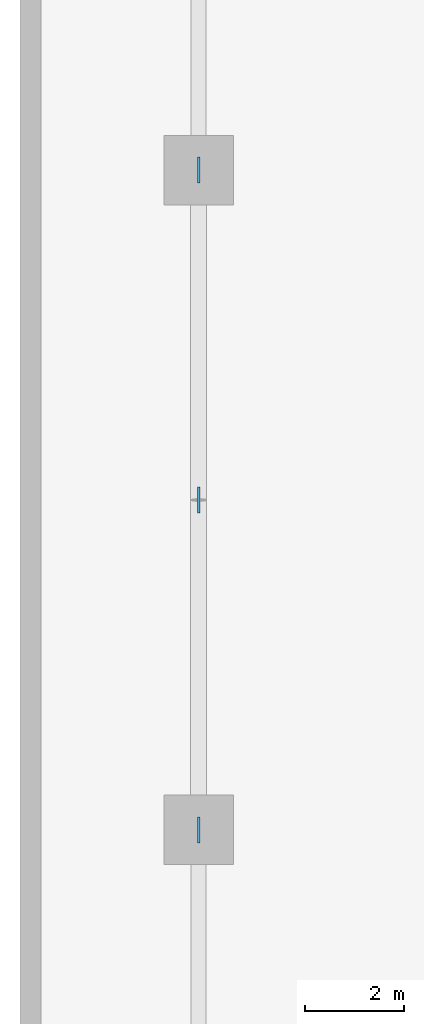
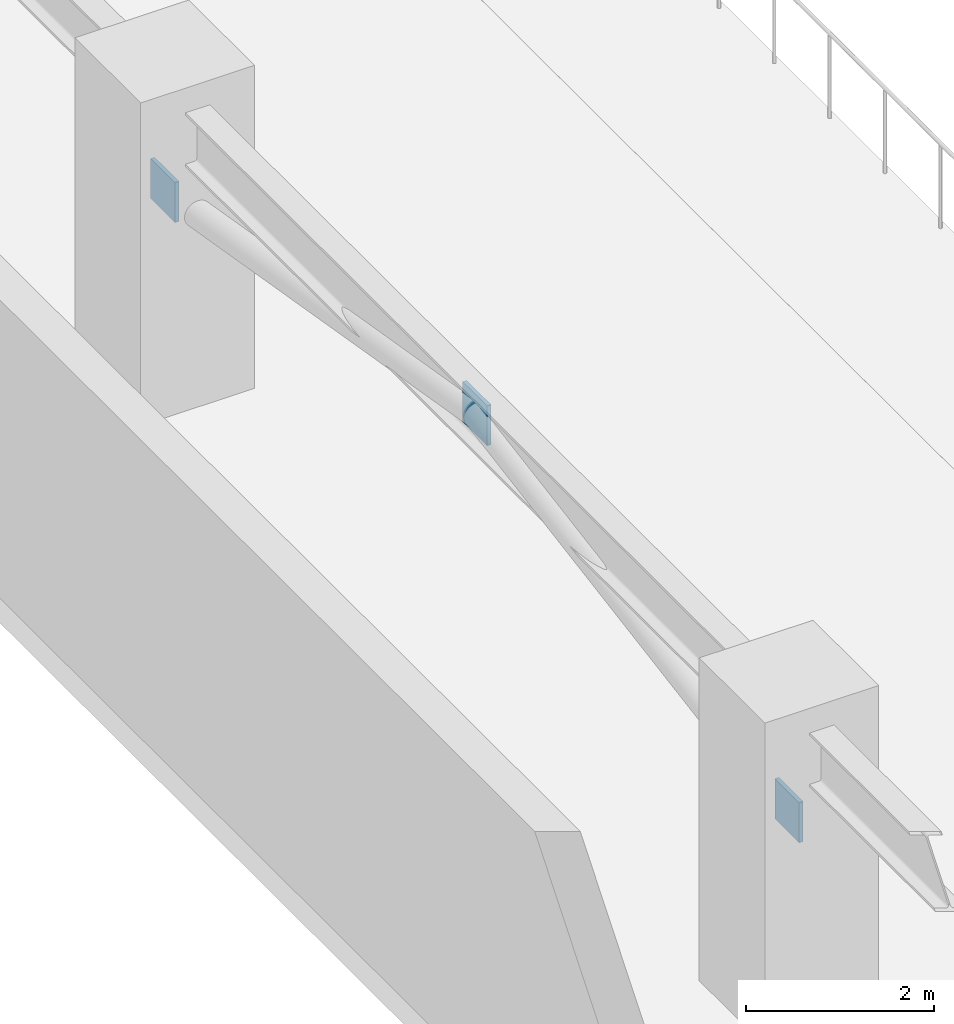
# One storey, part 13 of 22: 3 discrete accessories.
"""IFC4 building model written with IfcOpenShell, lengths in metres."""

from ifc_helpers import new_model, si_unit, direction, frame, origin, origin_2d, place, context, subcontext, project, spatial, rectangle, extrude, material, type_object, element, save


model = new_model("IFC4")

# Units and contexts
model_context = context("Model", 3, precision=1e-05, world=origin(), true_north=direction((0.0, 1.0)))
body_context = subcontext(model_context, "Body", "Model", "MODEL_VIEW")
ifc_project = project(units=[si_unit("LENGTHUNIT", "METRE"), si_unit("AREAUNIT", "SQUARE_METRE"), si_unit("VOLUMEUNIT", "CUBIC_METRE"), si_unit("PLANEANGLEUNIT", "RADIAN"), si_unit("MASSUNIT", "GRAM", prefix="KILO")], contexts=[model_context])

# Site, building, storey
site_placement = place(None, origin())
site = spatial("IfcSite", under=ifc_project, at=site_placement, CompositionType="ELEMENT")
building_placement = place(site_placement, origin())
building = spatial("IfcBuilding", under=site, at=building_placement, Name="Narakoshi Arena Tower", CompositionType="ELEMENT")
storey_placement = place(building_placement, frame((0.0, 0.0, 13.199951171875)))
storey = spatial("IfcBuildingStorey", under=building, at=storey_placement, Name="L03", CompositionType="ELEMENT", Elevation=13.199951171875)

# Discrete accessories
ifc_material = material(Name="Structural steel S460ML", Category="steel")
discrete_accessory_type = type_object("IfcDiscreteAccessoryType", Name="ACC-GUS-PLT", PredefinedType="BRACKET", material=ifc_material)
for number, where, z_axis, x_axis, name in (
    (1, (3.60009765625, 34.699951171875, 2.14013671875), (0.0, 0.0, 1.0), (0.0, 1.0, 0.0), "L03 Brace Node Gusset Plate 0031"),
    (2, (3.60009765625, 41.35009765625, 3.27001953125), (0.0, 0.0, 1.0), (0.0, 1.0, 0.0), "L03 Brace Node Gusset Plate 0032"),
    (3, (3.60009765625, 48.0, 2.14013671875), (0.0, 0.0, 1.0), (0.0, 1.0, 0.0), "L03 Brace Node Gusset Plate 0033"),
):
    element("IfcDiscreteAccessory", number, at=place(storey_placement, frame(where, z_axis=z_axis, x_axis=x_axis)), inside=storey, type_object=discrete_accessory_type, Name=name, PredefinedType="BRACKET", context=body_context, shape_type="SweptSolid", body=[
        extrude(rectangle(XDim=0.52001953125, YDim=0.050048828125, at=origin_2d()), origin(), (0.0, 0.0, 1.0), 0.52001953125),
    ])

save(model, "model.ifc")
